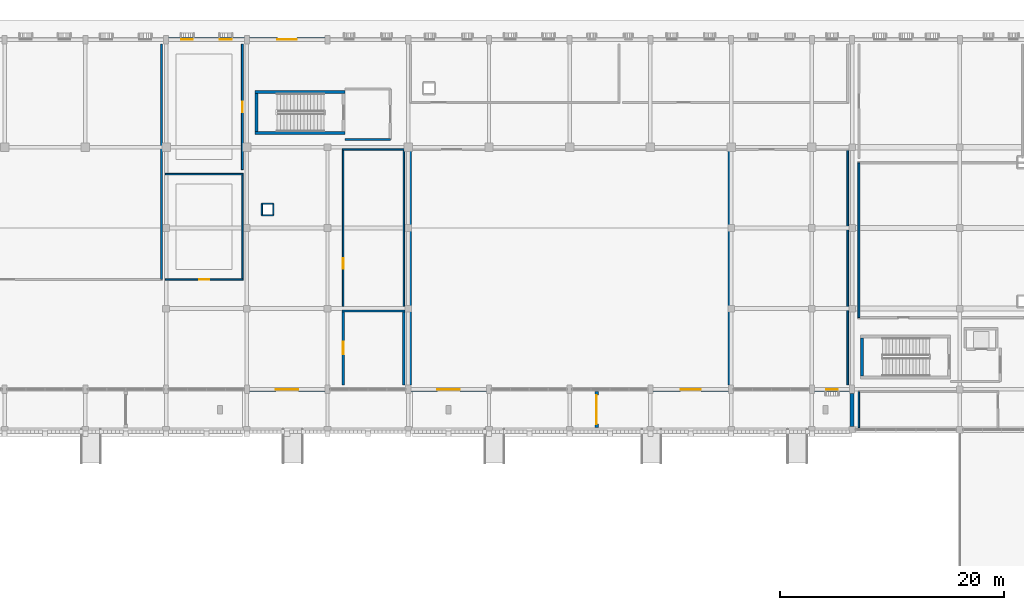
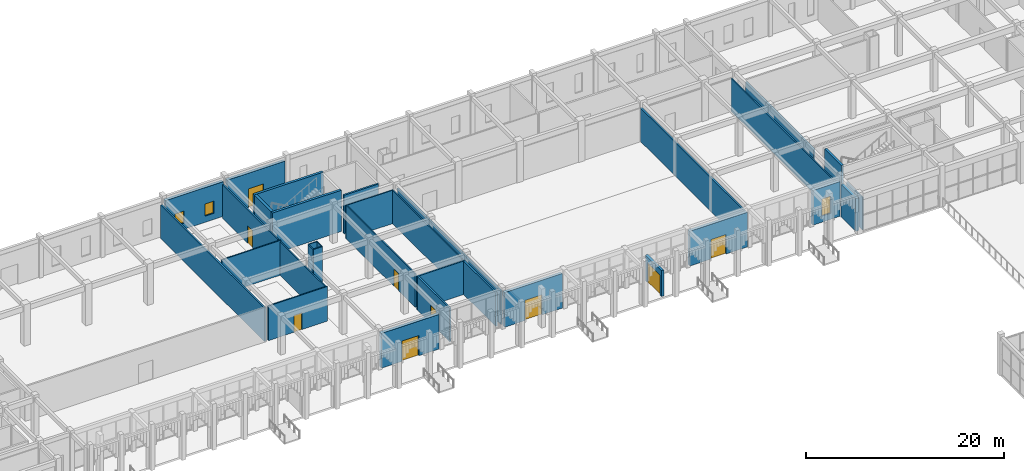
# One storey, part 39 of 72: 33 walls, 9 doors, 3 windows, 12 openings.
"""IFC4 building model written with IfcOpenShell, lengths in metres."""

from ifc_helpers import new_model, si_unit, direction, frame, frame_2d, origin, place, context, subcontext, project, spatial, rectangle, extrude, material, layer, layer_set, type_object, element, fill, save


model = new_model("IFC4")

# Units and contexts
model_context = context("Model", 3, precision=1e-05, world=origin(), true_north=direction((0.0, 1.0)))
body_context = subcontext(model_context, "Body", "Model", "MODEL_VIEW")
ifc_project = project(units=[si_unit("LENGTHUNIT", "METRE"), si_unit("AREAUNIT", "SQUARE_METRE"), si_unit("VOLUMEUNIT", "CUBIC_METRE"), si_unit("PLANEANGLEUNIT", "RADIAN"), si_unit("MASSUNIT", "GRAM", prefix="KILO")], contexts=[model_context])

# Site, building, storey
site_placement = place(None, origin())
site = spatial("IfcSite", under=ifc_project, at=site_placement, CompositionType="ELEMENT")
building_placement = place(site_placement, origin())
building = spatial("IfcBuilding", under=site, at=building_placement, Name="Nzembalo Square Collegiate School", CompositionType="ELEMENT")
storey_placement = place(building_placement, origin())
storey = spatial("IfcBuildingStorey", under=building, at=storey_placement, Name="L00", CompositionType="ELEMENT", Elevation=0.0)

# Walls
ifc_material_1 = material(Name="Concrete C35/45", Category="concrete")
ifc_layer_1 = layer(ifc_material_1, 0.280029296875, Name="Concrete C35/45")
ifc_layer_set_1 = layer_set([ifc_layer_1], Name="Concrete C35/45")
wall_type_1 = type_object("IfcWallType", Name="SW03", PredefinedType="SHEAR", material=ifc_layer_set_1)
wall_1_placement = place(storey_placement, frame((77.659912109375, 105.800048828125, 0.0), z_axis=(0.0, 0.0, 1.0), x_axis=(0.0, 1.0, 0.0)))
element("IfcWall", 1, at=wall_1_placement, inside=storey, type_object=wall_type_1, Name="Core C3 stair shear wall W L00", PredefinedType="SHEAR", context=body_context, shape_type="SweptSolid", body=[
    extrude(rectangle(XDim=3.39990234375, YDim=0.280029296875, at=frame_2d((1.699951171875, 0.0))), origin(), (0.0, 0.0, 1.0), 5.10009765625),
])
for number, where, z_axis, x_axis, name in (
    (2, (77.52001953125, 105.659912109375, 0.0), (0.0, 0.0, 1.0), (1.0, 0.0, 0.0), "Core C3 stair shear wall S L00"),
    (3, (77.52001953125, 109.340087890625, 0.0), (0.0, 0.0, 1.0), (1.0, 0.0, 0.0), "Core C3 stair shear wall N L00"),
):
    element("IfcWall", number, at=place(storey_placement, frame(where, z_axis=z_axis, x_axis=x_axis)), inside=storey, type_object=wall_type_1, Name=name, PredefinedType="SHEAR", context=body_context, shape_type="SweptSolid", body=[
        extrude(rectangle(XDim=8.06005859375, YDim=0.280029296875, at=frame_2d((4.030029296875, 0.0))), origin(), (0.0, 0.0, 1.0), 5.10009765625),
    ])
ifc_material_2 = material(Name="Concrete C35/45", Category="concrete")
ifc_layer_2 = layer(ifc_material_2, 0.260009765625, Name="Concrete C35/45")
ifc_layer_set_2 = layer_set([ifc_layer_2], Name="Concrete C35/45")
wall_type_2 = type_object("IfcWallType", Name="SW04", PredefinedType="SHEAR", material=ifc_layer_set_2)
wall_2_placement = place(storey_placement, frame((131.669921875, 84.0, 0.0), z_axis=(0.0, 0.0, 1.0), x_axis=(0.0, 1.0, 0.0)))
element("IfcWall", 4, at=wall_2_placement, inside=storey, type_object=wall_type_2, Name="Core C4 stair shear wall W L00", PredefinedType="SHEAR", context=body_context, shape_type="SweptSolid", body=[
    extrude(rectangle(XDim=3.39990234375, YDim=0.260009765625, at=frame_2d((1.699951171875, 0.0))), origin(), (0.0, 0.0, 1.0), 5.10009765625),
])

# Wall, openings, windows
ifc_material_3 = material(Name="Concrete C35/45", Category="concrete")
ifc_layer_3 = layer(ifc_material_3, 0.360107421875, Name="Concrete C35/45")
ifc_layer_set_3 = layer_set([ifc_layer_3], Name="Concrete C35/45")
wall_type_3 = type_object("IfcWallType", Name="W01", PredefinedType="SOLIDWALL", material=ifc_layer_set_3)
wall_3_placement = place(storey_placement, frame((69.826904296875, 114.0, 0.0), z_axis=(0.0, 0.0, 1.0), x_axis=(1.0, 0.0, 0.0)))
wall_3 = element("IfcWall", 5, at=wall_3_placement, inside=storey, type_object=wall_type_3, Name="Exterior wall W01 L00", PredefinedType="SOLIDWALL", context=body_context, shape_type="SweptSolid", body=[
    extrude(rectangle(XDim=6.74609375, YDim=0.360107421875, at=frame_2d((3.373046875, 0.0))), origin(), (0.0, 0.0, 1.0), 4.283935546875),
])
opening_1_placement = place(wall_3_placement, frame((1.118896484375, 0.0, 0.75)))
opening_1 = element("IfcOpeningElement", 6, at=opening_1_placement, cuts=wall_3, Name="Opening WN-L00-088", PredefinedType="OPENING", context=body_context, shape_type="SweptSolid", body=[
    extrude(rectangle(XDim=1.050048828125, YDim=1.5, at=frame_2d((0.52490234375, 0.75))), frame((0.0, 0.18994140625, 0.0), z_axis=(0.0, -1.0, 0.0), x_axis=(1.0, 0.0, 0.0)), (0.0, 0.0, 1.0), 0.380126953125),
])
opening_2_placement = place(wall_3_placement, frame((4.576904296875, 0.0, 0.75)))
opening_2 = element("IfcOpeningElement", 7, at=opening_2_placement, cuts=wall_3, Name="Opening WN-L00-089", PredefinedType="OPENING", context=body_context, shape_type="SweptSolid", body=[
    extrude(rectangle(XDim=1.050048828125, YDim=1.5, at=frame_2d((0.52490234375, 0.75))), frame((0.0, 0.18994140625, 0.0), z_axis=(0.0, -1.0, 0.0), x_axis=(1.0, 0.0, 0.0)), (0.0, 0.0, 1.0), 0.380126953125),
])
ifc_material_4 = material(Name="Powder-coated aluminium and low-E double glazing", Category="aluminium")
window_type_1 = type_object("IfcWindowType", Name="WN15", PartitioningType="SINGLE_PANEL", PredefinedType="WINDOW", material=ifc_material_4)
window_1_placement = place(opening_1_placement, origin())
window_1 = element("IfcWindow", 8, at=window_1_placement, inside=storey, type_object=window_type_1, Name="Lancet window WN-L00-088", OverallHeight=1.5, OverallWidth=1.050048828125, PartitioningType="SINGLE_PANEL", PredefinedType="WINDOW", context=body_context, shape_type="SweptSolid", body=[
    extrude(rectangle(XDim=1.050048828125, YDim=1.5, at=frame_2d((0.52490234375, 0.75))), frame((0.0, 0.030029296875, 0.0), z_axis=(0.0, -1.0, 0.0), x_axis=(1.0, 0.0, 0.0)), (0.0, 0.0, 1.0), 0.06005859375),
])
fill(opening_1, window_1)
window_2_placement = place(opening_2_placement, origin())
window_2 = element("IfcWindow", 9, at=window_2_placement, inside=storey, type_object=window_type_1, Name="Lancet window WN-L00-089", OverallHeight=1.5, OverallWidth=1.050048828125, PartitioningType="SINGLE_PANEL", PredefinedType="WINDOW", context=body_context, shape_type="SweptSolid", body=[
    extrude(rectangle(XDim=1.050048828125, YDim=1.5, at=frame_2d((0.52490234375, 0.75))), frame((0.0, 0.030029296875, 0.0), z_axis=(0.0, -1.0, 0.0), x_axis=(1.0, 0.0, 0.0)), (0.0, 0.0, 1.0), 0.06005859375),
])
fill(opening_2, window_2)

# Wall
wall_4_placement = place(storey_placement, frame((130.800048828125, 79.501953125, 0.0), z_axis=(0.0, 0.0, 1.0), x_axis=(0.0, 1.0, 0.0)))
element("IfcWall", 10, at=wall_4_placement, inside=storey, type_object=wall_type_3, Name="Exterior wall W01 L00", PredefinedType="SOLIDWALL", context=body_context, shape_type="SweptSolid", body=[
    extrude(rectangle(XDim=2.921142578125, YDim=0.360107421875, at=frame_2d((1.46044921875, 0.0))), origin(), (0.0, 0.0, 1.0), 4.033935546875),
])

# Wall, opening, door
wall_5_placement = place(storey_placement, frame((77.027099609375, 82.800048828125, 0.0), z_axis=(0.0, 0.0, 1.0), x_axis=(1.0, 0.0, 0.0)))
wall_5 = element("IfcWall", 11, at=wall_5_placement, inside=storey, type_object=wall_type_3, Name="Exterior wall W01 L00", PredefinedType="SOLIDWALL", context=body_context, shape_type="SweptSolid", body=[
    extrude(rectangle(XDim=6.745849609375, YDim=0.360107421875, at=frame_2d((3.373046875, 0.0))), origin(), (0.0, 0.0, 1.0), 4.283935546875),
])
opening_3_placement = place(wall_5_placement, frame((2.373046875, 0.0, 0.0)))
opening_3 = element("IfcOpeningElement", 12, at=opening_3_placement, cuts=wall_5, Name="Opening E08", PredefinedType="OPENING", context=body_context, shape_type="SweptSolid", body=[
    extrude(rectangle(XDim=2.0, YDim=2.5, at=frame_2d((1.0, 1.25))), frame((0.0, 0.18994140625, 0.0), z_axis=(0.0, -1.0, 0.0), x_axis=(1.0, 0.0, 0.0)), (0.0, 0.0, 1.0), 0.380126953125),
])
ifc_material_5 = material(Name="Powder-coated steel and safety glass", Category="steel")
door_type_1 = type_object("IfcDoorType", Name="ED03", OperationType="DOUBLE_DOOR_SINGLE_SWING", PredefinedType="DOOR", material=ifc_material_5)
door_1_placement = place(opening_3_placement, frame((2.0, 0.0, 0.0), z_axis=(0.0, 0.0, 1.0), x_axis=(-1.0, 0.0, 0.0)))
door_1 = element("IfcDoor", 13, at=door_1_placement, inside=storey, type_object=door_type_1, Name="Exterior door E08", OperationType="DOUBLE_DOOR_SINGLE_SWING", OverallHeight=2.5, OverallWidth=2.0, PredefinedType="DOOR", context=body_context, shape_type="SweptSolid", body=[
    extrude(rectangle(XDim=2.0, YDim=2.5, at=frame_2d((1.0, 1.25))), frame((0.0, 0.02490234375, 0.0), z_axis=(0.0, -1.0, 0.0), x_axis=(1.0, 0.0, 0.0)), (0.0, 0.0, 1.0), 0.050048828125),
])
fill(opening_3, door_1)

wall_6_placement = place(storey_placement, frame((113.027099609375, 82.800048828125, 0.0), z_axis=(0.0, 0.0, 1.0), x_axis=(1.0, 0.0, 0.0)))
wall_6 = element("IfcWall", 14, at=wall_6_placement, inside=storey, type_object=wall_type_3, Name="Exterior wall W01 L00", PredefinedType="SOLIDWALL", context=body_context, shape_type="SweptSolid", body=[
    extrude(rectangle(XDim=6.745849609375, YDim=0.360107421875, at=frame_2d((3.373046875, 0.0))), origin(), (0.0, 0.0, 1.0), 4.283935546875),
])
opening_4_placement = place(wall_6_placement, frame((2.472900390625, 0.0, 0.0)))
opening_4 = element("IfcOpeningElement", 15, at=opening_4_placement, cuts=wall_6, Name="Opening E11", PredefinedType="OPENING", context=body_context, shape_type="SweptSolid", body=[
    extrude(rectangle(XDim=1.800048828125, YDim=2.39990234375, at=frame_2d((0.89990234375, 1.199951171875))), frame((0.0, 0.18994140625, 0.0), z_axis=(0.0, -1.0, 0.0), x_axis=(1.0, 0.0, 0.0)), (0.0, 0.0, 1.0), 0.380126953125),
])
ifc_material_6 = material(Name="Powder-coated steel and safety glass", Category="steel")
door_type_2 = type_object("IfcDoorType", Name="ED01", OperationType="DOUBLE_DOOR_SINGLE_SWING", PredefinedType="DOOR", material=ifc_material_6)
door_2_placement = place(opening_4_placement, frame((1.800048828125, 0.0, 0.0), z_axis=(0.0, 0.0, 1.0), x_axis=(-1.0, 0.0, 0.0)))
door_2 = element("IfcDoor", 16, at=door_2_placement, inside=storey, type_object=door_type_2, Name="Exterior door E11", OperationType="DOUBLE_DOOR_SINGLE_SWING", OverallHeight=2.39990234375, OverallWidth=1.800048828125, PredefinedType="DOOR", context=body_context, shape_type="SweptSolid", body=[
    extrude(rectangle(XDim=1.800048828125, YDim=2.39990234375, at=frame_2d((0.89990234375, 1.199951171875))), frame((0.0, 0.02490234375, 0.0), z_axis=(0.0, -1.0, 0.0), x_axis=(1.0, 0.0, 0.0)), (0.0, 0.0, 1.0), 0.050048828125),
])
fill(opening_4, door_2)

ifc_material_7 = material(Name="Concrete C35/45", Category="concrete")
ifc_layer_4 = layer(ifc_material_7, 0.340087890625, Name="Concrete C35/45")
ifc_layer_set_4 = layer_set([ifc_layer_4], Name="Concrete C35/45")
wall_type_4 = type_object("IfcWallType", Name="W02", PredefinedType="SOLIDWALL", material=ifc_layer_set_4)
wall_7_placement = place(storey_placement, frame((77.027099609375, 114.0, 0.0), z_axis=(0.0, 0.0, 1.0), x_axis=(1.0, 0.0, 0.0)))
wall_7 = element("IfcWall", 17, at=wall_7_placement, inside=storey, type_object=wall_type_4, Name="Exterior wall W02 L00", PredefinedType="SOLIDWALL", context=body_context, shape_type="SweptSolid", body=[
    extrude(rectangle(XDim=6.745849609375, YDim=0.340087890625, at=frame_2d((3.373046875, 0.0))), origin(), (0.0, 0.0, 1.0), 4.283935546875),
])
opening_5_placement = place(wall_7_placement, frame((2.498046875, 0.0, 0.0)))
opening_5 = element("IfcOpeningElement", 18, at=opening_5_placement, cuts=wall_7, Name="Opening E09", PredefinedType="OPENING", context=body_context, shape_type="SweptSolid", body=[
    extrude(rectangle(XDim=1.75, YDim=2.35009765625, at=frame_2d((0.875, 1.175048828125))), frame((0.0, 0.18017578125, 0.0), z_axis=(0.0, -1.0, 0.0), x_axis=(1.0, 0.0, 0.0)), (0.0, 0.0, 1.0), 0.360107421875),
])
ifc_material_8 = material(Name="Powder-coated steel and safety glass", Category="steel")
door_type_3 = type_object("IfcDoorType", Name="ED04", OperationType="DOUBLE_DOOR_SINGLE_SWING", PredefinedType="DOOR", material=ifc_material_8)
door_3_placement = place(opening_5_placement, origin())
door_3 = element("IfcDoor", 19, at=door_3_placement, inside=storey, type_object=door_type_3, Name="Exterior door E09", OperationType="DOUBLE_DOOR_SINGLE_SWING", OverallHeight=2.35009765625, OverallWidth=1.75, PredefinedType="DOOR", context=body_context, shape_type="SweptSolid", body=[
    extrude(rectangle(XDim=1.75, YDim=2.35009765625, at=frame_2d((0.875, 1.175048828125))), frame((0.0, 0.02490234375, 0.0), z_axis=(0.0, -1.0, 0.0), x_axis=(1.0, 0.0, 0.0)), (0.0, 0.0, 1.0), 0.050048828125),
])
fill(opening_5, door_3)

wall_8_placement = place(storey_placement, frame((91.427001953125, 82.800048828125, 0.0), z_axis=(0.0, 0.0, 1.0), x_axis=(1.0, 0.0, 0.0)))
wall_8 = element("IfcWall", 20, at=wall_8_placement, inside=storey, type_object=wall_type_4, Name="Exterior wall W02 L00", PredefinedType="SOLIDWALL", context=body_context, shape_type="SweptSolid", body=[
    extrude(rectangle(XDim=6.74609375, YDim=0.340087890625, at=frame_2d((3.373046875, 0.0))), origin(), (0.0, 0.0, 1.0), 4.283935546875),
])
opening_6_placement = place(wall_8_placement, frame((2.373046875, 0.0, 0.0)))
opening_6 = element("IfcOpeningElement", 21, at=opening_6_placement, cuts=wall_8, Name="Opening E10", PredefinedType="OPENING", context=body_context, shape_type="SweptSolid", body=[
    extrude(rectangle(XDim=2.0, YDim=2.5, at=frame_2d((1.0, 1.25))), frame((0.0, 0.18017578125, 0.0), z_axis=(0.0, -1.0, 0.0), x_axis=(1.0, 0.0, 0.0)), (0.0, 0.0, 1.0), 0.360107421875),
])
door_4_placement = place(opening_6_placement, frame((2.0, 0.0, 0.0), z_axis=(0.0, 0.0, 1.0), x_axis=(-1.0, 0.0, 0.0)))
door_4 = element("IfcDoor", 22, at=door_4_placement, inside=storey, type_object=door_type_1, Name="Exterior door E10", OperationType="DOUBLE_DOOR_SINGLE_SWING", OverallHeight=2.5, OverallWidth=2.0, PredefinedType="DOOR", context=body_context, shape_type="SweptSolid", body=[
    extrude(rectangle(XDim=2.0, YDim=2.5, at=frame_2d((1.0, 1.25))), frame((0.0, 0.02490234375, 0.0), z_axis=(0.0, -1.0, 0.0), x_axis=(1.0, 0.0, 0.0)), (0.0, 0.0, 1.0), 0.050048828125),
])
fill(opening_6, door_4)

# Wall, opening, window
wall_9_placement = place(storey_placement, frame((127.427001953125, 82.800048828125, 0.0), z_axis=(0.0, 0.0, 1.0), x_axis=(1.0, 0.0, 0.0)))
wall_9 = element("IfcWall", 23, at=wall_9_placement, inside=storey, type_object=wall_type_4, Name="Exterior wall W02 L00", PredefinedType="SOLIDWALL", context=body_context, shape_type="SweptSolid", body=[
    extrude(rectangle(XDim=3.14599609375, YDim=0.340087890625, at=frame_2d((1.572998046875, 0.0))), origin(), (0.0, 0.0, 1.0), 4.283935546875),
])
opening_7_placement = place(wall_9_placement, frame((1.048095703125, 0.0, 0.75)))
opening_7 = element("IfcOpeningElement", 24, at=opening_7_placement, cuts=wall_9, Name="Opening WN-L00-159", PredefinedType="OPENING", context=body_context, shape_type="SweptSolid", body=[
    extrude(rectangle(XDim=1.050048828125, YDim=2.10009765625, at=frame_2d((0.52490234375, 1.050048828125))), frame((0.0, 0.18017578125, 0.0), z_axis=(0.0, -1.0, 0.0), x_axis=(1.0, 0.0, 0.0)), (0.0, 0.0, 1.0), 0.360107421875),
])
ifc_material_9 = material(Name="Powder-coated aluminium and low-E double glazing", Category="aluminium")
window_type_2 = type_object("IfcWindowType", Name="WN12", PartitioningType="SINGLE_PANEL", PredefinedType="WINDOW", material=ifc_material_9)
window_3_placement = place(opening_7_placement, origin())
window_3 = element("IfcWindow", 25, at=window_3_placement, inside=storey, type_object=window_type_2, Name="Lancet window WN-L00-159", OverallHeight=2.10009765625, OverallWidth=1.050048828125, PartitioningType="SINGLE_PANEL", PredefinedType="WINDOW", context=body_context, shape_type="SweptSolid", body=[
    extrude(rectangle(XDim=1.050048828125, YDim=2.10009765625, at=frame_2d((0.52490234375, 1.050048828125))), frame((0.0, 0.030029296875, 0.0), z_axis=(0.0, -1.0, 0.0), x_axis=(1.0, 0.0, 0.0)), (0.0, 0.0, 1.0), 0.06005859375),
])
fill(opening_7, window_3)

# Wall, opening, door
ifc_material_10 = material(Name="Concrete C35/45", Category="concrete")
ifc_layer_5 = layer(ifc_material_10, 0.300048828125, Name="Concrete C35/45")
ifc_layer_set_5 = layer_set([ifc_layer_5], Name="Concrete C35/45")
wall_type_5 = type_object("IfcWallType", Name="W04", PredefinedType="SOLIDWALL", material=ifc_layer_set_5)
wall_10_placement = place(storey_placement, frame((108.0, 79.39990234375, 0.0), z_axis=(0.0, 0.0, 1.0), x_axis=(0.0, 1.0, 0.0)))
wall_10 = element("IfcWall", 26, at=wall_10_placement, inside=storey, type_object=wall_type_5, Name="Portal screen wall VG-05", PredefinedType="SOLIDWALL", context=body_context, shape_type="SweptSolid", body=[
    extrude(rectangle(XDim=3.2001953125, YDim=0.300048828125, at=frame_2d((1.60009765625, 0.0))), origin(), (0.0, 0.0, 1.0), 3.199951171875),
])
opening_8_placement = place(wall_10_placement, frame((0.300048828125, 0.0, 0.0)))
opening_8 = element("IfcOpeningElement", 27, at=opening_8_placement, cuts=wall_10, Name="Opening VG-05", PredefinedType="OPENING", context=body_context, shape_type="SweptSolid", body=[
    extrude(rectangle(XDim=2.60009765625, YDim=2.5, at=frame_2d((1.300048828125, 1.25))), frame((0.0, 0.16015625, 0.0), z_axis=(0.0, -1.0, 0.0), x_axis=(1.0, 0.0, 0.0)), (0.0, 0.0, 1.0), 0.320068359375),
])
ifc_material_11 = material(Name="Powder-coated steel and safety glass", Category="steel")
door_type_4 = type_object("IfcDoorType", Name="VG02", OperationType="DOUBLE_DOOR_SINGLE_SWING", PredefinedType="GATE", material=ifc_material_11)
door_5_placement = place(opening_8_placement, origin())
door_5 = element("IfcDoor", 28, at=door_5_placement, inside=storey, type_object=door_type_4, Name="Service gate VG-05", OperationType="DOUBLE_DOOR_SINGLE_SWING", OverallHeight=2.5, OverallWidth=2.60009765625, PredefinedType="GATE", context=body_context, shape_type="SweptSolid", body=[
    extrude(rectangle(XDim=2.60009765625, YDim=2.5, at=frame_2d((1.300048828125, 1.25))), frame((0.0, 0.02490234375, 0.0), z_axis=(0.0, -1.0, 0.0), x_axis=(1.0, 0.0, 0.0)), (0.0, 0.0, 1.0), 0.050048828125),
])
fill(opening_8, door_5)

# Walls
ifc_material_12 = material(Name="Concrete blockwork C25/30", Category="masonry")
ifc_layer_6 = layer(ifc_material_12, 0.199951171875, Name="Concrete blockwork C25/30")
ifc_layer_set_6 = layer_set([ifc_layer_6], Name="Concrete blockwork C25/30")
wall_type_6 = type_object("IfcWallType", Name="W11", PredefinedType="PARTITIONING", material=ifc_layer_set_6)
wall_11_placement = place(storey_placement, frame((85.580078125, 105.10009765625, 0.0), z_axis=(0.0, 0.0, 1.0), x_axis=(1.0, 0.0, 0.0)))
element("IfcWall", 29, at=wall_11_placement, inside=storey, type_object=wall_type_6, Name="Core C3 EI 60 lobby wall S L00", PredefinedType="PARTITIONING", context=body_context, shape_type="SweptSolid", body=[
    extrude(rectangle(XDim=4.02001953125, YDim=0.199951171875, at=frame_2d((2.010009765625, 0.0))), origin(), (0.0, 0.0, 1.0), 4.77392578125),
])
ifc_material_13 = material(Name="Concrete blockwork C25/30", Category="masonry")
ifc_layer_7 = layer(ifc_material_13, 0.18994140625, Name="Concrete blockwork C25/30")
ifc_layer_set_7 = layer_set([ifc_layer_7], Name="Concrete blockwork C25/30")
wall_type_7 = type_object("IfcWallType", Name="W13", PredefinedType="PARTITIONING", material=ifc_layer_set_7)
wall_12_placement = place(storey_placement, frame((85.304931640625, 89.800048828125, 0.0), z_axis=(0.0, 0.0, 1.0), x_axis=(1.0, 0.0, 0.0)))
element("IfcWall", 30, at=wall_12_placement, inside=storey, type_object=wall_type_7, Name="Interior partition W13 L00-037-N", PredefinedType="PARTITIONING", context=body_context, shape_type="SweptSolid", body=[
    extrude(rectangle(XDim=5.590087890625, YDim=0.18994140625, at=frame_2d((2.794921875, 0.0))), origin(), (0.0, 0.0, 1.0), 4.134033203125),
])

# Wall, opening, door
wall_13_placement = place(storey_placement, frame((85.39990234375, 83.199951171875, 0.0), z_axis=(0.0, 0.0, 1.0), x_axis=(0.0, 1.0, 0.0)))
wall_13 = element("IfcWall", 31, at=wall_13_placement, inside=storey, type_object=wall_type_7, Name="Interior partition W13 L00-037-W", PredefinedType="PARTITIONING", context=body_context, shape_type="SweptSolid", body=[
    extrude(rectangle(XDim=6.60009765625, YDim=0.18994140625, at=frame_2d((3.300048828125, 0.0))), origin(), (0.0, 0.0, 1.0), 4.134033203125),
])
opening_9_placement = place(wall_13_placement, frame((2.75, 0.0, 0.0)))
opening_9 = element("IfcOpeningElement", 32, at=opening_9_placement, cuts=wall_13, Name="Opening D-L00-021", PredefinedType="OPENING", context=body_context, shape_type="SweptSolid", body=[
    extrude(rectangle(XDim=1.10009765625, YDim=2.199951171875, at=frame_2d((0.550048828125, 1.10009765625))), frame((0.0, 0.10498046875, 0.0), z_axis=(0.0, -1.0, 0.0), x_axis=(1.0, 0.0, 0.0)), (0.0, 0.0, 1.0), 0.2099609375),
])
ifc_material_14 = material(Name="Fire-rated command door")
door_type_5 = type_object("IfcDoorType", Name="FD05", OperationType="NOTDEFINED", PredefinedType="DOOR", material=ifc_material_14)
door_6_placement = place(opening_9_placement, origin())
door_6 = element("IfcDoor", 33, at=door_6_placement, inside=storey, type_object=door_type_5, Name="Interior door D-L00-021 (Fire Command Room)", OperationType="SINGLE_SWING_LEFT", OverallHeight=2.199951171875, OverallWidth=1.10009765625, PredefinedType="DOOR", context=body_context, shape_type="SweptSolid", body=[
    extrude(rectangle(XDim=1.10009765625, YDim=2.199951171875, at=frame_2d((0.550048828125, 1.10009765625))), frame((0.0, 0.02490234375, 0.0), z_axis=(0.0, -1.0, 0.0), x_axis=(1.0, 0.0, 0.0)), (0.0, 0.0, 1.0), 0.050048828125),
])
fill(opening_9, door_6)

# Walls
wall_14_placement = place(storey_placement, frame((90.800048828125, 83.199951171875, 0.0), z_axis=(0.0, 0.0, 1.0), x_axis=(0.0, 1.0, 0.0)))
element("IfcWall", 34, at=wall_14_placement, inside=storey, type_object=wall_type_7, Name="Interior partition W13 L00-037-E", PredefinedType="PARTITIONING", context=body_context, shape_type="SweptSolid", body=[
    extrude(rectangle(XDim=6.60009765625, YDim=0.18994140625, at=frame_2d((3.300048828125, 0.0))), origin(), (0.0, 0.0, 1.0), 4.134033203125),
])
ifc_material_15 = material(Name="Acoustic gypsum and steel stud", Category="steel")
ifc_layer_8 = layer(ifc_material_15, 0.175048828125, Name="Acoustic gypsum and steel stud")
ifc_layer_set_8 = layer_set([ifc_layer_8], Name="Acoustic gypsum and steel stud")
wall_type_8 = type_object("IfcWallType", Name="W14", PredefinedType="PARTITIONING", material=ifc_layer_set_8)
wall_15_placement = place(storey_placement, frame((131.39990234375, 89.199951171875, 0.0), z_axis=(0.0, 0.0, 1.0), x_axis=(0.0, 1.0, 0.0)))
element("IfcWall", 35, at=wall_15_placement, inside=storey, type_object=wall_type_8, Name="Interior partition W14 L00-052-W", PredefinedType="PARTITIONING", context=body_context, shape_type="SweptSolid", body=[
    extrude(rectangle(XDim=13.800048828125, YDim=0.175048828125, at=frame_2d((6.89990234375, 0.0))), origin(), (0.0, 0.0, 1.0), 4.033935546875),
])

# Wall, opening, door
ifc_material_16 = material(Name="Moisture-resistant acoustic stud")
ifc_layer_9 = layer(ifc_material_16, 0.1650390625, Name="Moisture-resistant acoustic stud")
ifc_layer_set_9 = layer_set([ifc_layer_9], Name="Moisture-resistant acoustic stud")
wall_type_9 = type_object("IfcWallType", Name="W15", PredefinedType="PARTITIONING", material=ifc_layer_set_9)
wall_16_placement = place(storey_placement, frame((76.39990234375, 102.39990234375, 0.0), z_axis=(0.0, 0.0, 1.0), x_axis=(0.0, 1.0, 0.0)))
wall_16 = element("IfcWall", 36, at=wall_16_placement, inside=storey, type_object=wall_type_9, Name="Interior partition W15 L00-035-E", PredefinedType="PARTITIONING", context=body_context, shape_type="SweptSolid", body=[
    extrude(rectangle(XDim=11.2001953125, YDim=0.1650390625, at=frame_2d((5.60009765625, 0.0))), origin(), (0.0, 0.0, 1.0), 4.134033203125),
])
opening_10_placement = place(wall_16_placement, frame((5.1201171875, 0.0, 0.0)))
opening_10 = element("IfcOpeningElement", 37, at=opening_10_placement, cuts=wall_16, Name="Opening D-L00-020", PredefinedType="OPENING", context=body_context, shape_type="SweptSolid", body=[
    extrude(rectangle(XDim=0.9599609375, YDim=2.139892578125, at=frame_2d((0.47998046875, 1.06982421875))), frame((0.0, 0.092529296875, 0.0), z_axis=(0.0, -1.0, 0.0), x_axis=(1.0, 0.0, 0.0)), (0.0, 0.0, 1.0), 0.18505859375),
])
ifc_material_17 = material(Name="Solid timber equipment store door", Category="wood")
door_type_6 = type_object("IfcDoorType", Name="D10", OperationType="NOTDEFINED", PredefinedType="DOOR", material=ifc_material_17)
door_7_placement = place(opening_10_placement, origin())
door_7 = element("IfcDoor", 38, at=door_7_placement, inside=storey, type_object=door_type_6, Name="Interior door D-L00-020 (Custodial and Grounds Store)", OperationType="SINGLE_SWING_RIGHT", OverallHeight=2.139892578125, OverallWidth=0.9599609375, PredefinedType="DOOR", context=body_context, shape_type="SweptSolid", body=[
    extrude(rectangle(XDim=0.9599609375, YDim=2.139892578125, at=frame_2d((0.47998046875, 1.06982421875))), frame((0.0, 0.02490234375, 0.0), z_axis=(0.0, -1.0, 0.0), x_axis=(1.0, 0.0, 0.0)), (0.0, 0.0, 1.0), 0.050048828125),
])
fill(opening_10, door_7)

# Wall
ifc_material_18 = material(Name="Acoustic double-board stud")
ifc_layer_10 = layer(ifc_material_18, 0.155029296875, Name="Acoustic double-board stud")
ifc_layer_set_10 = layer_set([ifc_layer_10], Name="Acoustic double-board stud")
wall_type_10 = type_object("IfcWallType", Name="W16", PredefinedType="PARTITIONING", material=ifc_layer_set_10)
wall_17_placement = place(storey_placement, frame((130.39990234375, 83.199951171875, 0.0), z_axis=(0.0, 0.0, 1.0), x_axis=(0.0, 1.0, 0.0)))
element("IfcWall", 39, at=wall_17_placement, inside=storey, type_object=wall_type_10, Name="Interior partition W16 L00-041-E", PredefinedType="PARTITIONING", context=body_context, shape_type="SweptSolid", body=[
    extrude(rectangle(XDim=21.0, YDim=0.155029296875, at=frame_2d((10.5, 0.0))), origin(), (0.0, 0.0, 1.0), 4.033935546875),
])

# Wall, opening, door
ifc_material_19 = material(Name="Cement-board wet-room partition")
ifc_layer_11 = layer(ifc_material_19, 0.135009765625, Name="Cement-board wet-room partition")
ifc_layer_set_11 = layer_set([ifc_layer_11], Name="Cement-board wet-room partition")
wall_type_11 = type_object("IfcWallType", Name="W19", PredefinedType="PARTITIONING", material=ifc_layer_set_11)
wall_18_placement = place(storey_placement, frame((69.532470703125, 92.60009765625, 0.0), z_axis=(0.0, 0.0, 1.0), x_axis=(1.0, 0.0, 0.0)))
wall_18 = element("IfcWall", 40, at=wall_18_placement, inside=storey, type_object=wall_type_11, Name="Interior partition W19 L00-034-S", PredefinedType="PARTITIONING", context=body_context, shape_type="SweptSolid", body=[
    extrude(rectangle(XDim=6.93505859375, YDim=0.135009765625, at=frame_2d((3.467529296875, 0.0))), origin(), (0.0, 0.0, 1.0), 4.283935546875),
])
opening_11_placement = place(wall_18_placement, frame((3.017578125, 0.0, 0.0)))
opening_11 = element("IfcOpeningElement", 41, at=opening_11_placement, cuts=wall_18, Name="Opening D-L00-019", PredefinedType="OPENING", context=body_context, shape_type="SweptSolid", body=[
    extrude(rectangle(XDim=0.89990234375, YDim=2.080078125, at=frame_2d((0.449951171875, 1.0400390625))), frame((0.0, 0.07763671875, 0.0), z_axis=(0.0, -1.0, 0.0), x_axis=(1.0, 0.0, 0.0)), (0.0, 0.0, 1.0), 0.155029296875),
])
ifc_material_20 = material(Name="Moisture-resistant laminate WC door")
door_type_7 = type_object("IfcDoorType", Name="D08", OperationType="NOTDEFINED", PredefinedType="DOOR", material=ifc_material_20)
door_8_placement = place(opening_11_placement, origin())
door_8 = element("IfcDoor", 42, at=door_8_placement, inside=storey, type_object=door_type_7, Name="Interior door D-L00-019 (Refectory Chair Store and Staff WC)", OperationType="SINGLE_SWING_LEFT", OverallHeight=2.080078125, OverallWidth=0.89990234375, PredefinedType="DOOR", context=body_context, shape_type="SweptSolid", body=[
    extrude(rectangle(XDim=0.89990234375, YDim=2.080078125, at=frame_2d((0.449951171875, 1.0400390625))), frame((0.0, 0.02490234375, 0.0), z_axis=(0.0, -1.0, 0.0), x_axis=(1.0, 0.0, 0.0)), (0.0, 0.0, 1.0), 0.050048828125),
])
fill(opening_11, door_8)

# Walls
wall_19_placement = place(storey_placement, frame((69.532470703125, 102.0, 0.0), z_axis=(0.0, 0.0, 1.0), x_axis=(1.0, 0.0, 0.0)))
element("IfcWall", 43, at=wall_19_placement, inside=storey, type_object=wall_type_11, Name="Interior partition W19 L00-034-N", PredefinedType="PARTITIONING", context=body_context, shape_type="SweptSolid", body=[
    extrude(rectangle(XDim=6.93505859375, YDim=0.135009765625, at=frame_2d((3.467529296875, 0.0))), origin(), (0.0, 0.0, 1.0), 4.283935546875),
])
wall_20_placement = place(storey_placement, frame((76.39990234375, 92.60009765625, 0.0), z_axis=(0.0, 0.0, 1.0), x_axis=(0.0, 1.0, 0.0)))
element("IfcWall", 44, at=wall_20_placement, inside=storey, type_object=wall_type_11, Name="Interior partition W19 L00-034-E", PredefinedType="PARTITIONING", context=body_context, shape_type="SweptSolid", body=[
    extrude(rectangle(XDim=9.39990234375, YDim=0.135009765625, at=frame_2d((4.699951171875, 0.0))), origin(), (0.0, 0.0, 1.0), 4.134033203125),
])
wall_21_placement = place(storey_placement, frame((85.33251953125, 104.199951171875, 0.0), z_axis=(0.0, 0.0, 1.0), x_axis=(1.0, 0.0, 0.0)))
element("IfcWall", 45, at=wall_21_placement, inside=storey, type_object=wall_type_11, Name="Interior partition W19 L00-038-N", PredefinedType="PARTITIONING", context=body_context, shape_type="SweptSolid", body=[
    extrude(rectangle(XDim=5.534912109375, YDim=0.135009765625, at=frame_2d((2.767578125, 0.0))), origin(), (0.0, 0.0, 1.0), 4.134033203125),
])

# Wall, opening, door
wall_22_placement = place(storey_placement, frame((85.39990234375, 90.199951171875, 0.0), z_axis=(0.0, 0.0, 1.0), x_axis=(0.0, 1.0, 0.0)))
wall_22 = element("IfcWall", 46, at=wall_22_placement, inside=storey, type_object=wall_type_11, Name="Interior partition W19 L00-038-W", PredefinedType="PARTITIONING", context=body_context, shape_type="SweptSolid", body=[
    extrude(rectangle(XDim=14.0, YDim=0.135009765625, at=frame_2d((7.0, 0.0))), origin(), (0.0, 0.0, 1.0), 4.134033203125),
])
opening_12_placement = place(wall_22_placement, frame((3.364990234375, 0.0, 0.0)))
opening_12 = element("IfcOpeningElement", 47, at=opening_12_placement, cuts=wall_22, Name="Opening D-L00-022", PredefinedType="OPENING", context=body_context, shape_type="SweptSolid", body=[
    extrude(rectangle(XDim=0.93994140625, YDim=2.10009765625, at=frame_2d((0.469970703125, 1.050048828125))), frame((0.0, 0.07763671875, 0.0), z_axis=(0.0, -1.0, 0.0), x_axis=(1.0, 0.0, 0.0)), (0.0, 0.0, 1.0), 0.155029296875),
])
ifc_material_21 = material(Name="Hardwood office door", Category="wood")
door_type_8 = type_object("IfcDoorType", Name="D07", OperationType="NOTDEFINED", PredefinedType="DOOR", material=ifc_material_21)
door_9_placement = place(opening_12_placement, origin())
door_9 = element("IfcDoor", 48, at=door_9_placement, inside=storey, type_object=door_type_8, Name="Interior door D-L00-022 (Main Security and Reception Office)", OperationType="SINGLE_SWING_RIGHT", OverallHeight=2.10009765625, OverallWidth=0.93994140625, PredefinedType="DOOR", context=body_context, shape_type="SweptSolid", body=[
    extrude(rectangle(XDim=0.93994140625, YDim=2.10009765625, at=frame_2d((0.469970703125, 1.050048828125))), frame((0.0, 0.02490234375, 0.0), z_axis=(0.0, -1.0, 0.0), x_axis=(1.0, 0.0, 0.0)), (0.0, 0.0, 1.0), 0.050048828125),
])
fill(opening_12, door_9)

# Walls
wall_23_placement = place(storey_placement, frame((90.800048828125, 90.199951171875, 0.0), z_axis=(0.0, 0.0, 1.0), x_axis=(0.0, 1.0, 0.0)))
element("IfcWall", 49, at=wall_23_placement, inside=storey, type_object=wall_type_11, Name="Interior partition W19 L00-038-E", PredefinedType="PARTITIONING", context=body_context, shape_type="SweptSolid", body=[
    extrude(rectangle(XDim=14.0, YDim=0.135009765625, at=frame_2d((7.0, 0.0))), origin(), (0.0, 0.0, 1.0), 4.134033203125),
])
wall_24_placement = place(storey_placement, frame((131.39990234375, 79.39990234375, 0.0), z_axis=(0.0, 0.0, 1.0), x_axis=(0.0, 1.0, 0.0)))
element("IfcWall", 50, at=wall_24_placement, inside=storey, type_object=wall_type_11, Name="Interior partition W19 L00-054-W", PredefinedType="PARTITIONING", context=body_context, shape_type="SweptSolid", body=[
    extrude(rectangle(XDim=3.2001953125, YDim=0.135009765625, at=frame_2d((1.60009765625, 0.0))), origin(), (0.0, 0.0, 1.0), 4.033935546875),
])
ifc_material_22 = material(Name="High-mass acoustic blockwork", Category="masonry")
ifc_layer_12 = layer(ifc_material_22, 0.18505859375, Name="High-mass acoustic blockwork")
ifc_layer_set_12 = layer_set([ifc_layer_12], Name="High-mass acoustic blockwork")
wall_type_12 = type_object("IfcWallType", Name="W22", PredefinedType="PARTITIONING", material=ifc_layer_set_12)
for number, where, z_axis, x_axis, name in (
    (51, (69.199951171875, 92.60009765625, 0.0), (0.0, 0.0, 1.0), (0.0, 1.0, 0.0), "Interior partition W22 L00-033-E"),
    (52, (91.39990234375, 83.199951171875, 0.0), (0.0, 0.0, 1.0), (0.0, 1.0, 0.0), "Interior partition W22 L00-040-W"),
    (53, (119.800048828125, 83.199951171875, 0.0), (0.0, 0.0, 1.0), (0.0, 1.0, 0.0), "Interior partition W22 L00-040-E"),
):
    element("IfcWall", number, at=place(storey_placement, frame(where, z_axis=z_axis, x_axis=x_axis)), inside=storey, type_object=wall_type_12, Name=name, PredefinedType="PARTITIONING", context=body_context, shape_type="SweptSolid", body=[
        extrude(rectangle(XDim=21.0, YDim=0.18505859375, at=frame_2d((10.5, 0.0))), origin(), (0.0, 0.0, 1.0), 4.134033203125),
    ])
ifc_material_23 = material(Name="Fire-rated shaftwall stud")
ifc_layer_13 = layer(ifc_material_23, 0.1201171875, Name="Fire-rated shaftwall stud")
ifc_layer_set_13 = layer_set([ifc_layer_13], Name="Fire-rated shaftwall stud")
wall_type_13 = type_object("IfcWallType", Name="W23", PredefinedType="PARTITIONING", material=ifc_layer_set_13)
for number, where, z_axis, x_axis, name in (
    (54, (78.139892578125, 98.340087890625, 0.0), (0.0, 0.0, 1.0), (1.0, 0.0, 0.0), "Service riser shaftwall W23-004-1"),
    (55, (79.159912109375, 98.340087890625, 0.0), (0.0, 0.0, 1.0), (0.0, 1.0, 0.0), "Service riser shaftwall W23-004-2"),
    (56, (79.159912109375, 99.360107421875, 0.0), (0.0, 0.0, 1.0), (-1.0, 0.0, 0.0), "Service riser shaftwall W23-004-3"),
    (57, (78.139892578125, 99.360107421875, 0.0), (0.0, 0.0, 1.0), (0.0, -1.0, 0.0), "Service riser shaftwall W23-004-4"),
):
    element("IfcWall", number, at=place(storey_placement, frame(where, z_axis=z_axis, x_axis=x_axis)), inside=storey, type_object=wall_type_13, Name=name, PredefinedType="PARTITIONING", context=body_context, shape_type="SweptSolid", body=[
        extrude(rectangle(XDim=1.02001953125, YDim=0.1201171875, at=frame_2d((0.510009765625, 0.0))), origin(), (0.0, 0.0, 1.0), 4.77392578125),
    ])

save(model, "model.ifc")
